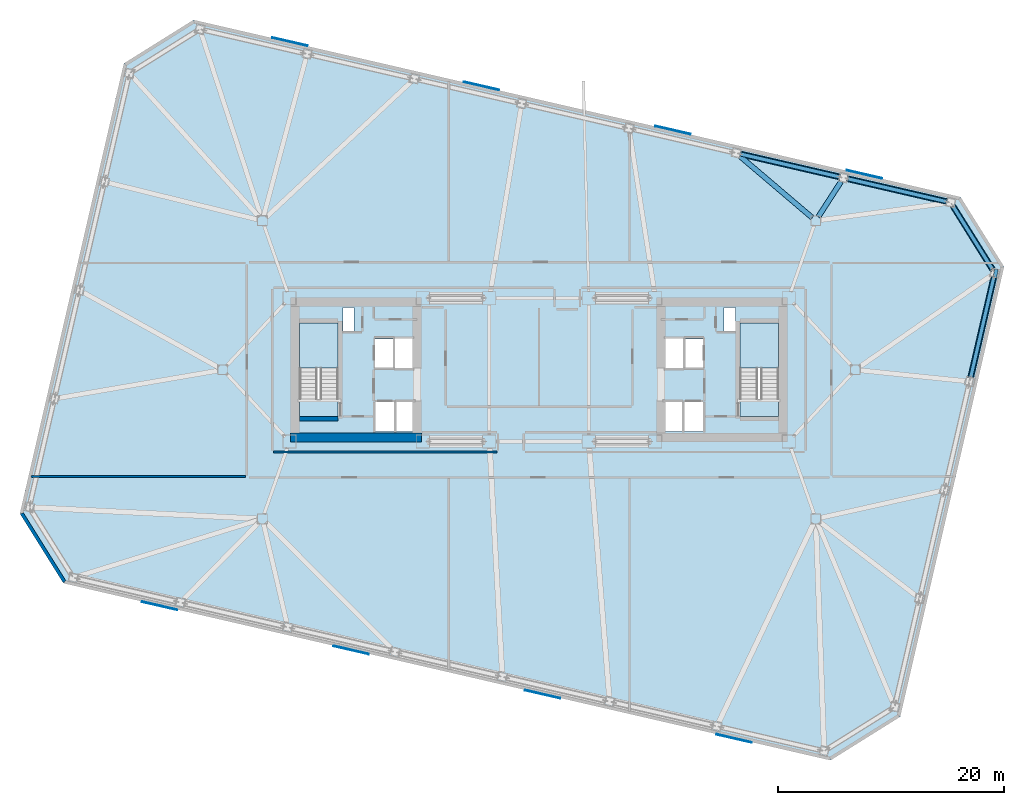
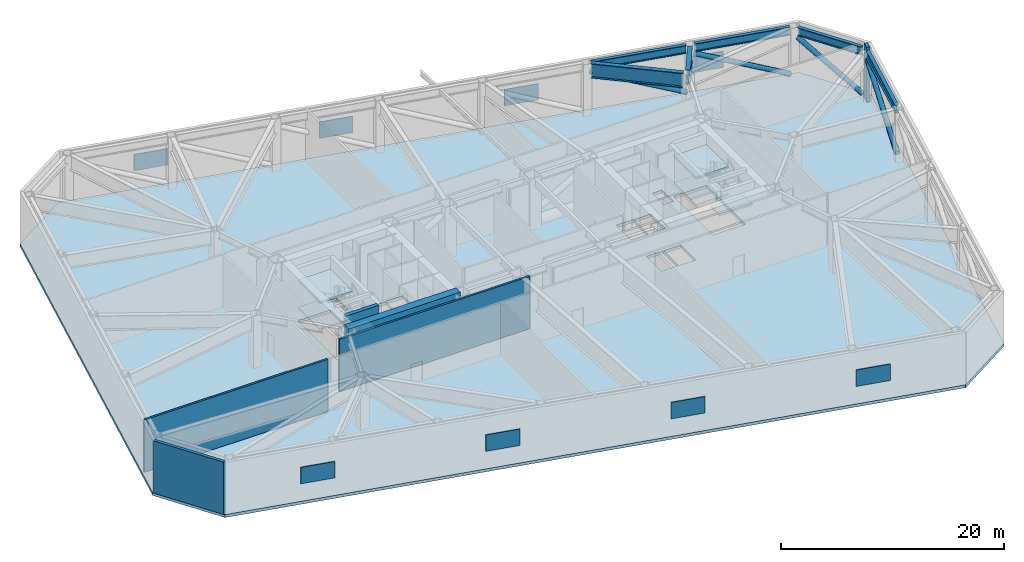
# One storey, part 3 of 15: 8 plates, 7 slabs, 6 beams, 5 members, 5 walls, 2 elements without a shape of their own.
"""IFC4 building model written with IfcOpenShell, lengths in metres."""

from ifc_helpers import new_model, si_unit, direction, frame, frame_2d, origin, origin_2d, place, context, subcontext, project, spatial, polyline, rectangle, hollow_circle, i_section, outline, extrude, material, layer, layer_set, material_profile, profile_set, type_object, element, aggregate, save


model = new_model("IFC4")

# Units and contexts
model_context = context("Model", 3, precision=1e-05, world=origin(), true_north=direction((0.0, 1.0)))
body_context = subcontext(model_context, "Body", "Model", "MODEL_VIEW")
ifc_project = project(units=[si_unit("LENGTHUNIT", "METRE"), si_unit("AREAUNIT", "SQUARE_METRE"), si_unit("VOLUMEUNIT", "CUBIC_METRE"), si_unit("PLANEANGLEUNIT", "RADIAN"), si_unit("MASSUNIT", "GRAM", prefix="KILO")], contexts=[model_context])

# Site, building, storey
site_placement = place(None, origin())
site = spatial("IfcSite", under=ifc_project, at=site_placement, CompositionType="ELEMENT")
building_placement = place(site_placement, origin())
building = spatial("IfcBuilding", under=site, at=building_placement, Name="Tavrogorsk Clinical Tower", CompositionType="ELEMENT")
storey_placement = place(building_placement, frame((0.0, 0.0, 33.39990234375)))
storey = spatial("IfcBuildingStorey", under=building, at=storey_placement, Name="L06", CompositionType="ELEMENT", Elevation=33.39990234375)

# Members
ifc_material_1 = material(Name="Structural steel S440", Category="steel")
ifc_material_profile_1 = material_profile(ifc_material_1, hollow_circle(Radius=0.25390625, WallThickness=0.02001953125, at=origin_2d()), Name="CHS-508x20")
ifc_profile_set_1 = profile_set([ifc_material_profile_1], Name="Structural steel S440")
member_type_1 = type_object("IfcMemberType", Name="ExoBrace_CHS508", PredefinedType="BRACE", material=ifc_profile_set_1)
member_1_placement = place(storey_placement, frame((38.2138671875, -0.67529296875, 0.517578125), z_axis=(0.205127102983, 0.888444554848, 0.410596084471), x_axis=(-0.974366815739, 0.224965127047, 0.0)))
element("IfcMember", 1, at=member_1_placement, inside=storey, type_object=member_type_1, Name="L06 Exoskeleton Belt Diagonal E4-E5", PredefinedType="BRACE", context=body_context, shape_type="SweptSolid", body=[
    extrude(hollow_circle(Radius=0.25390625, WallThickness=0.02001953125, at=origin_2d()), origin(), (0.0, 0.0, 1.0), 9.99755859375),
])
member_2_placement = place(storey_placement, frame((40.163330078125, 8.86572265625, 0.56103515625), z_axis=(-0.453659268925, 0.725993006991, 0.516843710921), x_axis=(-0.848043639765, -0.529926395884, 0.0)))
element("IfcMember", 2, at=member_2_placement, inside=storey, type_object=member_type_1, Name="L06 Exoskeleton Belt Diagonal E5-N1", PredefinedType="BRACE", context=body_context, shape_type="SweptSolid", body=[
    extrude(hollow_circle(Radius=0.25390625, WallThickness=0.02001953125, at=origin_2d()), origin(), (0.0, 0.0, 1.0), 7.774169921875),
])
member_3_placement = place(storey_placement, frame((36.089599609375, 14.889404296875, 0.519287109375), z_axis=(-0.886735721611, 0.204711023201, 0.414479380669), x_axis=(-0.224942657561, -0.974372003297, 0.0)))
element("IfcMember", 3, at=member_3_placement, inside=storey, type_object=member_type_1, Name="L06 Exoskeleton Belt Diagonal N1-N2", PredefinedType="BRACE", context=body_context, shape_type="SweptSolid", body=[
    extrude(hollow_circle(Radius=0.25390625, WallThickness=0.02001953125, at=origin_2d()), origin(), (0.0, 0.0, 1.0), 9.896240234375),
])
member_4_placement = place(storey_placement, frame((26.5908203125, 17.08251953125, 0.519287109375), z_axis=(-0.886730449481, 0.204715501483, 0.414488447868), x_axis=(-0.224948599198, -0.974370631597, 0.0)))
element("IfcMember", 4, at=member_4_placement, inside=storey, type_object=member_type_1, Name="L06 Exoskeleton Belt Diagonal N2-N3", PredefinedType="BRACE", context=body_context, shape_type="SweptSolid", body=[
    extrude(hollow_circle(Radius=0.25390625, WallThickness=0.02001953125, at=origin_2d()), origin(), (0.0, 0.0, 1.0), 9.89599609375),
])
ifc_material_2 = material(Name="Precast concrete B45 with limestone cladding", Category="masonry")
ifc_material_profile_2 = material_profile(ifc_material_2, rectangle(XDim=0.320068359375, YDim=0.719970703125, at=origin_2d()), Name="LIMESTONE-FIN-320x720")
ifc_profile_set_2 = profile_set([ifc_material_profile_2], Name="Precast concrete B45 with limestone cladding")
member_type_2 = type_object("IfcMemberType", Name="LimestonePleatFin_320x720", PredefinedType="USERDEFINED", material=ifc_profile_set_2)
member_5_placement = place(storey_placement, frame((40.42626953125, 8.551513671875, 0.0), z_axis=(0.0, 0.0, 1.0), x_axis=(0.974370064785, -0.224951054344, 0.0)))
element("IfcMember", 5, at=member_5_placement, inside=storey, type_object=member_type_2, Name="L06 E Pleated Stone Fin 4", ObjectType="FIN", PredefinedType="USERDEFINED", context=body_context, shape_type="SweptSolid", body=[
    extrude(rectangle(XDim=0.320068359375, YDim=0.719970703125, at=origin_2d()), origin(), (0.0, 0.0, 1.0), 6.0),
])

# Beams
ifc_material_3 = material(Name="Structural steel S440", Category="steel")
ifc_material_profile_3 = material_profile(ifc_material_3, i_section(OverallWidth=0.449951171875, OverallDepth=1.60009765625, WebThickness=0.031982421875, FlangeThickness=0.050048828125, at=origin_2d()), Name="DK-1600x450x32x50")
ifc_profile_set_3 = profile_set([ifc_material_profile_3], Name="Structural steel S440")
beam_type_1 = type_object("IfcBeamType", Name="TransferGirder_DK1600", PredefinedType="USERDEFINED", material=ifc_profile_set_3)
beam_1_placement = place(storey_placement, frame((24.722412109375, 13.54443359375, 4.940185546875), z_axis=(0.54237908978, 0.840133872052, 0.0), x_axis=(-0.840133872052, 0.54237908978, 0.0)))
element("IfcBeam", 6, at=beam_1_placement, inside=storey, type_object=beam_type_1, Name="L06 Radial Floor Beam N2", ObjectType="GIRDER", PredefinedType="USERDEFINED", context=body_context, shape_type="SweptSolid", body=[
    extrude(i_section(OverallWidth=0.449951171875, OverallDepth=1.60009765625, WebThickness=0.031982421875, FlangeThickness=0.050048828125, at=origin_2d()), origin(), (0.0, 0.0, 1.0), 3.70361328125),
])
beam_2_placement = place(storey_placement, frame((24.187744140625, 13.465576171875, 4.940185546875), z_axis=(-0.761805700094, 0.647805584496, 0.0), x_axis=(-0.647805584496, -0.761805700094, 0.0)))
element("IfcBeam", 7, at=beam_2_placement, inside=storey, type_object=beam_type_1, Name="L06 Radial Floor Beam N3", ObjectType="GIRDER", PredefinedType="USERDEFINED", context=body_context, shape_type="SweptSolid", body=[
    extrude(i_section(OverallWidth=0.449951171875, OverallDepth=1.60009765625, WebThickness=0.031982421875, FlangeThickness=0.050048828125, at=origin_2d()), origin(), (0.0, 0.0, 1.0), 8.431396484375),
])
ifc_material_4 = material(Name="Structural steel S440", Category="steel")
ifc_material_profile_4 = material_profile(ifc_material_4, i_section(OverallWidth=0.360107421875, OverallDepth=0.89990234375, WebThickness=0.02392578125, FlangeThickness=0.0400390625, at=origin_2d()), Name="DK-900x360x24x40")
ifc_profile_set_4 = profile_set([ifc_material_profile_4], Name="Structural steel S440")
beam_type_2 = type_object("IfcBeamType", Name="TransferGirder_DK900", PredefinedType="USERDEFINED", material=ifc_profile_set_4)
beam_3_placement = place(storey_placement, frame((38.221923828125, -0.640380859375, 5.2900390625), z_axis=(0.224971881043, 0.974365256328, 0.0), x_axis=(-0.974365256328, 0.224971881043, 0.0)))
element("IfcBeam", 8, at=beam_3_placement, inside=storey, type_object=beam_type_2, Name="L06 Perimeter Spandrel E4-E5", ObjectType="GIRDER", PredefinedType="USERDEFINED", context=body_context, shape_type="SweptSolid", body=[
    extrude(i_section(OverallWidth=0.360107421875, OverallDepth=0.89990234375, WebThickness=0.02392578125, FlangeThickness=0.0400390625, at=origin_2d()), origin(), (0.0, 0.0, 1.0), 9.044189453125),
])
beam_4_placement = place(storey_placement, frame((40.132080078125, 8.91552734375, 5.2900390625), z_axis=(-0.529925092475, 0.848044454239, 0.0), x_axis=(-0.848044454239, -0.529925092475, 0.0)))
element("IfcBeam", 9, at=beam_4_placement, inside=storey, type_object=beam_type_2, Name="L06 Perimeter Spandrel E5-N1", ObjectType="GIRDER", PredefinedType="USERDEFINED", context=body_context, shape_type="SweptSolid", body=[
    extrude(i_section(OverallWidth=0.360107421875, OverallDepth=0.89990234375, WebThickness=0.02392578125, FlangeThickness=0.0400390625, at=origin_2d()), origin(), (0.0, 0.0, 1.0), 6.537841796875),
])
for number, where, z_axis, x_axis, name in (
    (10, (36.0537109375, 14.897705078125, 5.2900390625), (-0.974366775889, 0.224965299645, 0.0), (-0.224965299645, -0.974366775889, 0.0), "L06 Perimeter Spandrel N1-N2"),
    (11, (26.554931640625, 17.090576171875, 5.2900390625), (-0.974366775889, 0.224965299645, 0.0), (-0.224965299645, -0.974366775889, 0.0), "L06 Perimeter Spandrel N2-N3"),
):
    element("IfcBeam", number, at=place(storey_placement, frame(where, z_axis=z_axis, x_axis=x_axis)), inside=storey, type_object=beam_type_2, Name=name, ObjectType="GIRDER", PredefinedType="USERDEFINED", context=body_context, shape_type="SweptSolid", body=[
        extrude(i_section(OverallWidth=0.360107421875, OverallDepth=0.89990234375, WebThickness=0.02392578125, FlangeThickness=0.0400390625, at=origin_2d()), origin(), (0.0, 0.0, 1.0), 8.9326171875),
    ])

# Plates
ifc_material_5 = material(Name="Powder-coated aluminium acoustic louvre", Category="aluminium")
ifc_layer_1 = layer(ifc_material_5, 0.074951171875)
ifc_layer_set_1 = layer_set([ifc_layer_1], Name="Powder-coated aluminium acoustic louvre")
plate_type = type_object("IfcPlateType", Name="AcousticPlantLouvre_75", PredefinedType="SHEET", material=ifc_layer_set_1)
for number, where, z_axis, x_axis, name in (
    (12, (-33.596435546875, -20.90185546875, 1.97021484375), (0.0, 0.0, 1.0), (0.974370002858, -0.224951322579, 0.0), "L06 Plant Acoustic Louvre S-1-1"),
    (13, (-16.642578125, -24.816162109375, 1.97021484375), (0.0, 0.0, 1.0), (0.974370002858, -0.224951322579, 0.0), "L06 Plant Acoustic Louvre S-1-2"),
    (14, (0.3115234375, -28.730224609375, 1.97021484375), (0.0, 0.0, 1.0), (0.974370002858, -0.224951322579, 0.0), "L06 Plant Acoustic Louvre S-1-3"),
    (15, (17.265380859375, -32.644287109375, 1.97021484375), (0.0, 0.0, 1.0), (0.974370002858, -0.224951322579, 0.0), "L06 Plant Acoustic Louvre S-1-4"),
    (16, (28.79638671875, 17.302001953125, 1.97021484375), (0.0, 0.0, 1.0), (-0.974370002858, 0.224951322579, 0.0), "L06 Plant Acoustic Louvre N-1-1"),
    (17, (11.842529296875, 21.216064453125, 1.97021484375), (0.0, 0.0, 1.0), (-0.974370002858, 0.224951322579, 0.0), "L06 Plant Acoustic Louvre N-1-2"),
    (18, (-5.111572265625, 25.130126953125, 1.97021484375), (0.0, 0.0, 1.0), (-0.974370002858, 0.224951322579, 0.0), "L06 Plant Acoustic Louvre N-1-3"),
    (19, (-22.0654296875, 29.04443359375, 1.97021484375), (0.0, 0.0, 1.0), (-0.974370002858, 0.224951322579, 0.0), "L06 Plant Acoustic Louvre N-1-4"),
):
    element("IfcPlate", number, at=place(storey_placement, frame(where, z_axis=z_axis, x_axis=x_axis)), inside=storey, type_object=plate_type, Name=name, PredefinedType="SHEET", context=body_context, shape_type="SweptSolid", body=[
        extrude(rectangle(XDim=3.199951171875, YDim=0.074951171875, at=origin_2d()), origin(), (0.0, 0.0, 1.0), 1.800048828125),
    ])

# Slab
ifc_material_6 = material(Name="Concrete B60", Category="concrete")
ifc_layer_2 = layer(ifc_material_6, 0.320068359375)
ifc_layer_set_2 = layer_set([ifc_layer_2], Name="Concrete B60")
slab_type_1 = type_object("IfcSlabType", Name="PlantRefugeSlab_320", PredefinedType="FLOOR", material=ifc_layer_set_2)
slab_1_placement = place(storey_placement, frame((0.0, 0.0, -0.31982421875)))
element("IfcSlab", 20, at=slab_1_placement, inside=storey, type_object=slab_type_1, Name="L06 Structural Slab", PredefinedType="FLOOR", context=body_context, shape_type="SweptSolid", body=[
    extrude(outline(polyline([(-42.06689453125, -18.91552734375), (25.749267578125, -34.572265625), (31.98583984375, -30.67529296875), (41.163818359375, 9.0791015625), (37.266845703125, 15.315673828125), (-30.54931640625, 30.97216796875), (-36.785888671875, 27.0751953125), (-45.9638671875, -12.67919921875), (-42.06689453125, -18.91552734375)]), holes=[polyline([(-17.800048828125, -2.8798828125), (-17.800048828125, 4.125), (-21.199951171875, 4.125), (-21.199951171875, -2.8798828125), (-17.800048828125, -2.8798828125)]), polyline([(21.199951171875, -2.8798828125), (21.199951171875, 4.125), (17.800048828125, 4.125), (17.800048828125, -2.8798828125), (21.199951171875, -2.8798828125)]), polyline([(-14.6201171875, 0.169921875), (-12.860107421875, 0.169921875), (-12.860107421875, 2.72998046875), (-14.6201171875, 2.72998046875), (-14.6201171875, 0.169921875)]), polyline([(-14.530029296875, -5.47998046875), (-12.77001953125, -5.47998046875), (-12.77001953125, -2.820068359375), (-14.530029296875, -2.820068359375), (-14.530029296875, -5.47998046875)]), polyline([(-12.72998046875, -5.47998046875), (-10.969970703125, -5.47998046875), (-10.969970703125, -2.820068359375), (-12.72998046875, -2.820068359375), (-12.72998046875, -5.47998046875)]), polyline([(-12.840087890625, 0.1201171875), (-11.080078125, 0.1201171875), (-11.080078125, 2.780029296875), (-12.840087890625, 2.780029296875), (-12.840087890625, 0.1201171875)]), polyline([(12.860107421875, 0.169921875), (14.6201171875, 0.169921875), (14.6201171875, 2.72998046875), (12.860107421875, 2.72998046875), (12.860107421875, 0.169921875)]), polyline([(12.77001953125, -5.47998046875), (14.530029296875, -5.47998046875), (14.530029296875, -2.820068359375), (12.77001953125, -2.820068359375), (12.77001953125, -5.47998046875)]), polyline([(10.969970703125, -5.47998046875), (12.72998046875, -5.47998046875), (12.72998046875, -2.820068359375), (10.969970703125, -2.820068359375), (10.969970703125, -5.47998046875)]), polyline([(11.080078125, 0.1201171875), (12.840087890625, 0.1201171875), (12.840087890625, 2.780029296875), (11.080078125, 2.780029296875), (11.080078125, 0.1201171875)]), polyline([(-17.3798828125, 3.449951171875), (-16.3798828125, 3.449951171875), (-16.3798828125, 5.5), (-17.3798828125, 5.5), (-17.3798828125, 3.449951171875)]), polyline([(16.3798828125, 3.449951171875), (17.3798828125, 3.449951171875), (17.3798828125, 5.5), (16.3798828125, 5.5), (16.3798828125, 3.449951171875)])]), origin(), (0.0, 0.0, 1.0), 0.31982421875),
])

# Stair, slabs
ifc_material_7 = material(Name="Concrete B60", Category="concrete")
stair_type = type_object("IfcStairType", Name="CoreStairAssembly", PredefinedType="HALF_TURN_STAIR", material=ifc_material_7)
stair_1_placement = place(storey_placement, origin())
stair_1 = element("IfcStair", 21, at=stair_1_placement, inside=storey, type_object=stair_type, Name="L06 ST-W", PredefinedType="HALF_TURN_STAIR")
ifc_material_8 = material(Name="Concrete B60", Category="concrete")
ifc_layer_3 = layer(ifc_material_8, 0.199951171875)
ifc_layer_set_3 = layer_set([ifc_layer_3], Name="Concrete B60")
slab_type_2 = type_object("IfcSlabType", Name="StairLanding_200", PredefinedType="LANDING", material=ifc_layer_set_3)
slab_2_placement = place(storey_placement, frame((0.0, 0.0, 1.300048828125)))
slab_2 = element("IfcSlab", 22, at=slab_2_placement, type_object=slab_type_2, Name="ST-W landing 1", PredefinedType="LANDING", context=body_context, shape_type="SweptSolid", body=[
    extrude(outline(polyline([(-17.800048828125, 0.14501953125), (-17.800048828125, 4.125), (-21.199951171875, 4.125), (-21.199951171875, 0.14501953125), (-17.800048828125, 0.14501953125)])), origin(), (0.0, 0.0, 1.0), 0.199951171875),
])
slab_3_placement = place(storey_placement, frame((0.0, 0.0, 2.800048828125)))
slab_3 = element("IfcSlab", 23, at=slab_3_placement, type_object=slab_type_2, Name="ST-W landing 2", PredefinedType="LANDING", context=body_context, shape_type="SweptSolid", body=[
    extrude(outline(polyline([(-17.800048828125, -4.125), (-17.800048828125, -2.574951171875), (-21.199951171875, -2.574951171875), (-21.199951171875, -4.125), (-17.800048828125, -4.125)])), origin(), (0.0, 0.0, 1.0), 0.199951171875),
])
slab_4_placement = place(storey_placement, frame((0.0, 0.0, 4.300048828125)))
slab_4 = element("IfcSlab", 24, at=slab_4_placement, type_object=slab_type_2, Name="ST-W landing 3", PredefinedType="LANDING", context=body_context, shape_type="SweptSolid", body=[
    extrude(outline(polyline([(-17.800048828125, 0.14501953125), (-17.800048828125, 4.125), (-21.199951171875, 4.125), (-21.199951171875, 0.14501953125), (-17.800048828125, 0.14501953125)])), origin(), (0.0, 0.0, 1.0), 0.199951171875),
])
aggregate(stair_1, [slab_2, slab_3, slab_4])

stair_2_placement = place(storey_placement, origin())
stair_2 = element("IfcStair", 25, at=stair_2_placement, inside=storey, type_object=stair_type, Name="L06 ST-E", PredefinedType="HALF_TURN_STAIR")
slab_5_placement = place(storey_placement, frame((0.0, 0.0, 1.300048828125)))
slab_5 = element("IfcSlab", 26, at=slab_5_placement, type_object=slab_type_2, Name="ST-E landing 1", PredefinedType="LANDING", context=body_context, shape_type="SweptSolid", body=[
    extrude(outline(polyline([(21.199951171875, 0.14501953125), (21.199951171875, 4.125), (17.800048828125, 4.125), (17.800048828125, 0.14501953125), (21.199951171875, 0.14501953125)])), origin(), (0.0, 0.0, 1.0), 0.199951171875),
])
slab_6_placement = place(storey_placement, frame((0.0, 0.0, 2.800048828125)))
slab_6 = element("IfcSlab", 27, at=slab_6_placement, type_object=slab_type_2, Name="ST-E landing 2", PredefinedType="LANDING", context=body_context, shape_type="SweptSolid", body=[
    extrude(outline(polyline([(21.199951171875, -4.125), (21.199951171875, -2.574951171875), (17.800048828125, -2.574951171875), (17.800048828125, -4.125), (21.199951171875, -4.125)])), origin(), (0.0, 0.0, 1.0), 0.199951171875),
])
slab_7_placement = place(storey_placement, frame((0.0, 0.0, 4.300048828125)))
slab_7 = element("IfcSlab", 28, at=slab_7_placement, type_object=slab_type_2, Name="ST-E landing 3", PredefinedType="LANDING", context=body_context, shape_type="SweptSolid", body=[
    extrude(outline(polyline([(21.199951171875, 0.14501953125), (21.199951171875, 4.125), (17.800048828125, 4.125), (17.800048828125, 0.14501953125), (21.199951171875, 0.14501953125)])), origin(), (0.0, 0.0, 1.0), 0.199951171875),
])
aggregate(stair_2, [slab_5, slab_6, slab_7])

# Walls
ifc_material_9 = material(Name="Concrete B60", Category="concrete")
ifc_layer_4 = layer(ifc_material_9, 0.199951171875)
ifc_layer_set_4 = layer_set([ifc_layer_4], Name="Concrete B60")
wall_type_1 = type_object("IfcWallType", Name="CoreFireWall_200", PredefinedType="SOLIDWALL", material=ifc_layer_set_4)
wall_1_placement = place(storey_placement, frame((-23.514892578125, -7.27001953125, 0.0), z_axis=(0.0, 0.0, 1.0), x_axis=(1.0, 0.0, 0.0)))
element("IfcWall", 29, at=wall_1_placement, inside=storey, type_object=wall_type_1, Name="L06 Refuge Corridor Fire Wall 22", PredefinedType="SOLIDWALL", context=body_context, shape_type="SweptSolid", body=[
    extrude(rectangle(XDim=19.77978515625, YDim=0.199951171875, at=frame_2d((9.889892578125, 0.0))), origin(), (0.0, 0.0, 1.0), 5.739990234375),
])
wall_2_placement = place(storey_placement, frame((-44.992431640625, -9.449951171875, 0.0), z_axis=(0.0, 0.0, 1.0), x_axis=(1.0, 0.0, 0.0)))
element("IfcWall", 30, at=wall_2_placement, inside=storey, type_object=wall_type_1, Name="L06 Refuge & Plant Fire Wall 1", PredefinedType="SOLIDWALL", context=body_context, shape_type="SweptSolid", body=[
    extrude(rectangle(XDim=19.00732421875, YDim=0.199951171875, at=frame_2d((9.503662109375, 0.0))), origin(), (0.0, 0.0, 1.0), 5.739990234375),
])
ifc_material_10 = material(Name="Concrete B80", Category="concrete")
ifc_layer_5 = layer(ifc_material_10, 0.39990234375)
ifc_layer_set_5 = layer_set([ifc_layer_5], Name="Concrete B80")
wall_type_2 = type_object("IfcWallType", Name="ShearWall_400", PredefinedType="SHEAR", material=ifc_layer_set_5)
wall_3_placement = place(storey_placement, frame((-21.199951171875, -4.324951171875, 0.0), z_axis=(0.0, 0.0, 1.0), x_axis=(1.0, 0.0, 0.0)))
element("IfcWall", 31, at=wall_3_placement, inside=storey, type_object=wall_type_2, Name="L06 Core West Stair Shaft South Shear Wall", PredefinedType="SHEAR", context=body_context, shape_type="SweptSolid", body=[
    extrude(rectangle(XDim=3.39990234375, YDim=0.39990234375, at=frame_2d((1.699951171875, 0.0))), origin(), (0.0, 0.0, 1.0), 5.739990234375),
])
ifc_material_11 = material(Name="Concrete B80", Category="concrete")
ifc_layer_6 = layer(ifc_material_11, 0.800048828125)
ifc_layer_set_6 = layer_set([ifc_layer_6], Name="Concrete B80")
wall_type_3 = type_object("IfcWallType", Name="ShearWall_800", PredefinedType="SHEAR", material=ifc_layer_set_6)
wall_4_placement = place(storey_placement, frame((-22.0, -6.0, 0.0), z_axis=(0.0, 0.0, 1.0), x_axis=(1.0, 0.0, 0.0)))
element("IfcWall", 32, at=wall_4_placement, inside=storey, type_object=wall_type_3, Name="L06 Core West South Shear Wall", PredefinedType="SHEAR", context=body_context, shape_type="SweptSolid", body=[
    extrude(rectangle(XDim=11.60009765625, YDim=0.800048828125, at=frame_2d((5.800048828125, 0.0))), origin(), (0.0, 0.0, 1.0), 5.739990234375),
])
ifc_material_12 = material(Name="Precast concrete B45 with mineral wool", Category="concrete")
ifc_layer_7 = layer(ifc_material_12, 0.300048828125)
ifc_layer_set_7 = layer_set([ifc_layer_7], Name="Precast concrete B45 with mineral wool")
wall_type_4 = type_object("IfcWallType", Name="SpandrelBackWall_300", PredefinedType="STANDARD", material=ifc_layer_set_7)
wall_5_placement = place(storey_placement, frame((-45.807861328125, -12.715087890625, 0.0), z_axis=(0.0, 0.0, 1.0), x_axis=(0.529915808518, -0.848050255517, 0.0)))
element("IfcWall", 33, at=wall_5_placement, inside=storey, type_object=wall_type_4, Name="L06 Chamfered Corner Wall 4", PredefinedType="STANDARD", context=body_context, shape_type="SweptSolid", body=[
    extrude(rectangle(XDim=7.127685546875, YDim=0.300048828125, at=frame_2d((3.56396484375, 0.0))), origin(), (0.0, 0.0, 1.0), 5.739990234375),
])

save(model, "model.ifc")
